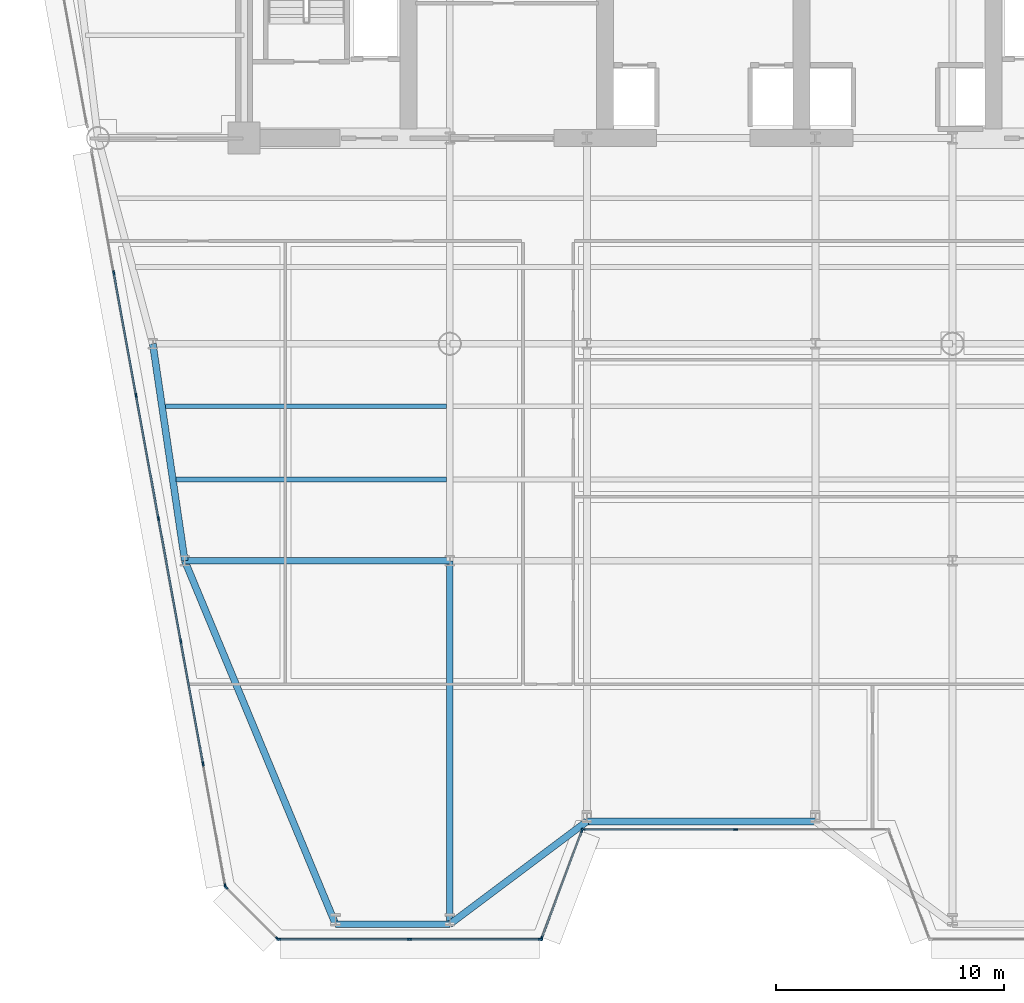
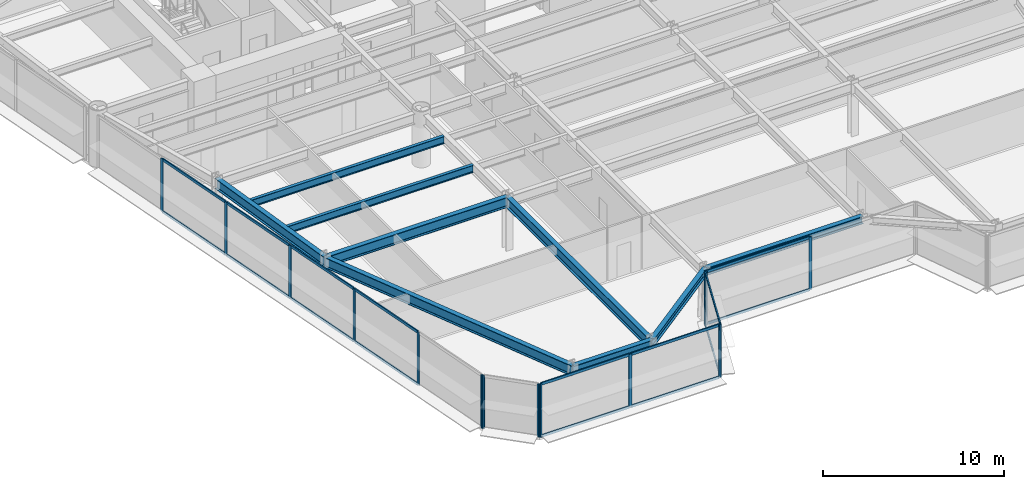
# One storey, part 2 of 14: 31 members, 9 beams, 5 elements without a shape of their own.
"""IFC4 building model written with IfcOpenShell, lengths in metres."""

from ifc_helpers import new_model, si_unit, direction, frame, origin, origin_2d, place, context, subcontext, project, spatial, rectangle, i_section, extrude, source, transform, mapped, material, layer, layer_set, material_profile, profile_set, type_object, element, aggregate, save


model = new_model("IFC4")

# Units and contexts
model_context = context("Model", 3, precision=1e-05, world=origin(), true_north=direction((0.0, 1.0)))
body_context = subcontext(model_context, "Body", "Model", "MODEL_VIEW")
ifc_project = project(units=[si_unit("LENGTHUNIT", "METRE"), si_unit("AREAUNIT", "SQUARE_METRE"), si_unit("VOLUMEUNIT", "CUBIC_METRE"), si_unit("PLANEANGLEUNIT", "RADIAN"), si_unit("MASSUNIT", "GRAM", prefix="KILO")], contexts=[model_context])

# Site, building, storey
site_placement = place(None, origin())
site = spatial("IfcSite", under=ifc_project, at=site_placement, CompositionType="ELEMENT")
building_placement = place(site_placement, origin())
building = spatial("IfcBuilding", under=site, at=building_placement, Name="Vaeldorn Concourse Tower", CompositionType="ELEMENT")
storey_placement = place(building_placement, frame((0.0, 0.0, 122.39990234375)))
storey = spatial("IfcBuildingStorey", under=building, at=storey_placement, Name="L31", CompositionType="ELEMENT", Elevation=122.39990234375)

# Beams
ifc_material_1 = material(Name="Steel S355", Category="steel")
ifc_material_profile_1 = material_profile(ifc_material_1, i_section(OverallWidth=0.199951171875, OverallDepth=0.5, WebThickness=0.01025390625, FlangeThickness=0.01611328125, FilletRadius=0.02099609375, at=origin_2d()), Name="IPE 500")
ifc_profile_set_1 = profile_set([ifc_material_profile_1], Name="Steel S355")
beam_type_1 = type_object("IfcBeamType", Name="BM-JS-IPE500", PredefinedType="JOIST", material=ifc_profile_set_1)
shared_shape_1 = source(origin(), body_context, "Body", "SweptSolid", [
    extrude(i_section(OverallWidth=0.199951171875, OverallDepth=0.5, WebThickness=0.01025390625, FlangeThickness=0.01611328125, FilletRadius=0.02099609375, at=origin_2d()), origin(), (0.0, 0.0, 1.0), 11.82470703125),
])
beam_1_placement = place(storey_placement, frame((11.025390625, 21.56005859375, 3.330078125), z_axis=(1.0, 0.0, 0.0), x_axis=(0.0, 1.0, 0.0)))
element("IfcBeam", 1, at=beam_1_placement, inside=storey, type_object=beam_type_1, Name="Beam JS-L31-W1-215", PredefinedType="JOIST", context=body_context, shape_type="MappedRepresentation", body=[
    mapped(shared_shape_1, transform((0.0, 0.0, 0.0), scale=1.0)),
])
shared_shape_2 = source(origin(), body_context, "Body", "SweptSolid", [
    extrude(i_section(OverallWidth=0.199951171875, OverallDepth=0.5, WebThickness=0.01025390625, FlangeThickness=0.01611328125, FilletRadius=0.02099609375, at=origin_2d()), origin(), (0.0, 0.0, 1.0), 12.29638671875),
])
beam_2_placement = place(storey_placement, frame((10.5537109375, 24.760009765625, 3.330078125), z_axis=(1.0, 0.0, 0.0), x_axis=(0.0, 1.0, 0.0)))
element("IfcBeam", 2, at=beam_2_placement, inside=storey, type_object=beam_type_1, Name="Beam JS-L31-W1-247", PredefinedType="JOIST", context=body_context, shape_type="MappedRepresentation", body=[
    mapped(shared_shape_2, transform((0.0, 0.0, 0.0), scale=1.0)),
])
ifc_material_profile_2 = material_profile(ifc_material_1, i_section(OverallWidth=0.300048828125, OverallDepth=0.5, WebThickness=0.014404296875, FlangeThickness=0.028076171875, FilletRadius=0.027099609375, at=origin_2d()), Name="HEB 500")
ifc_profile_set_2 = profile_set([ifc_material_profile_2], Name="Steel S355")
beam_type_2 = type_object("IfcBeamType", Name="BM-SP-HEB500", PredefinedType="SPANDREL", material=ifc_profile_set_2)
shared_shape_3 = source(origin(), body_context, "Body", "SweptSolid", [
    extrude(i_section(OverallWidth=0.300048828125, OverallDepth=0.5, WebThickness=0.014404296875, FlangeThickness=0.028076171875, FilletRadius=0.027099609375, at=origin_2d()), origin(), (0.0, 0.0, 1.0), 5.0),
])
beam_3_placement = place(storey_placement, frame((18.0, 2.095458984375, 3.330078125), z_axis=(1.0, 0.0, 0.0), x_axis=(0.0, 1.0, 0.0)))
element("IfcBeam", 3, at=beam_3_placement, inside=storey, type_object=beam_type_2, Name="Beam BM-L31-C-SF1-C-SF2", PredefinedType="SPANDREL", context=body_context, shape_type="MappedRepresentation", body=[
    mapped(shared_shape_3, transform((0.0, 0.0, 0.0), scale=1.0)),
])
shared_shape_4 = source(origin(), body_context, "Body", "SweptSolid", [
    extrude(i_section(OverallWidth=0.300048828125, OverallDepth=0.5, WebThickness=0.014404296875, FlangeThickness=0.028076171875, FilletRadius=0.027099609375, at=origin_2d()), origin(), (0.0, 0.0, 1.0), 7.5),
])
beam_4_placement = place(storey_placement, frame((23.0, 2.095458984375, 3.330078125), z_axis=(0.8, 0.6, 0.0), x_axis=(-0.6, 0.8, 0.0)))
element("IfcBeam", 4, at=beam_4_placement, inside=storey, type_object=beam_type_2, Name="Beam BM-L31-C-SF2-C-SF3", PredefinedType="SPANDREL", context=body_context, shape_type="MappedRepresentation", body=[
    mapped(shared_shape_4, transform((0.0, 0.0, 0.0), scale=1.0)),
])
shared_shape_5 = source(origin(), body_context, "Body", "SweptSolid", [
    extrude(i_section(OverallWidth=0.300048828125, OverallDepth=0.5, WebThickness=0.014404296875, FlangeThickness=0.028076171875, FilletRadius=0.027099609375, at=origin_2d()), origin(), (0.0, 0.0, 1.0), 10.0),
])
beam_5_placement = place(storey_placement, frame((29.0, 6.595458984375, 3.330078125), z_axis=(1.0, 0.0, 0.0), x_axis=(0.0, 1.0, 0.0)))
element("IfcBeam", 5, at=beam_5_placement, inside=storey, type_object=beam_type_2, Name="Beam BM-L31-C-SF3-C-SF4", PredefinedType="SPANDREL", context=body_context, shape_type="MappedRepresentation", body=[
    mapped(shared_shape_5, transform((0.0, 0.0, 0.0), scale=1.0)),
])
ifc_material_profile_3 = material_profile(ifc_material_1, i_section(OverallWidth=0.300048828125, OverallDepth=0.699951171875, WebThickness=0.01708984375, FlangeThickness=0.031982421875, FilletRadius=0.027099609375, at=origin_2d()), Name="HEB 700")
ifc_profile_set_3 = profile_set([ifc_material_profile_3], Name="Steel S355")
beam_type_3 = type_object("IfcBeamType", Name="BM-PG-HEB700", PredefinedType="BEAM", material=ifc_profile_set_3)
shared_shape_6 = source(origin(), body_context, "Body", "SweptSolid", [
    extrude(i_section(OverallWidth=0.300048828125, OverallDepth=0.699951171875, WebThickness=0.01708984375, FlangeThickness=0.031982421875, FilletRadius=0.027099609375, at=origin_2d()), origin(), (0.0, 0.0, 1.0), 9.6025390625),
])
beam_6_placement = place(storey_placement, frame((10.0, 27.5, 3.22998046875), z_axis=(0.145783835977, -0.989316467652, 0.0), x_axis=(0.989316467652, 0.145783835977, 0.0)))
element("IfcBeam", 6, at=beam_6_placement, inside=storey, type_object=beam_type_3, Name="Beam BM-L31-C-FLW1-C-FLW2", PredefinedType="BEAM", context=body_context, shape_type="MappedRepresentation", body=[
    mapped(shared_shape_6, transform((0.0, 0.0, 0.0), scale=1.0)),
])
shared_shape_7 = source(origin(), body_context, "Body", "SweptSolid", [
    extrude(i_section(OverallWidth=0.300048828125, OverallDepth=0.699951171875, WebThickness=0.01708984375, FlangeThickness=0.031982421875, FilletRadius=0.027099609375, at=origin_2d()), origin(), (0.0, 0.0, 1.0), 11.60009765625),
])
beam_7_placement = place(storey_placement, frame((11.39990234375, 18.0, 3.22998046875), z_axis=(1.0, 0.0, 0.0), x_axis=(0.0, 1.0, 0.0)))
element("IfcBeam", 7, at=beam_7_placement, inside=storey, type_object=beam_type_3, Name="Beam BM-L31-C-FLW2-C-TW5", PredefinedType="BEAM", context=body_context, shape_type="MappedRepresentation", body=[
    mapped(shared_shape_7, transform((0.0, 0.0, 0.0), scale=1.0)),
])
shared_shape_8 = source(origin(), body_context, "Body", "SweptSolid", [
    extrude(i_section(OverallWidth=0.300048828125, OverallDepth=0.699951171875, WebThickness=0.01708984375, FlangeThickness=0.031982421875, FilletRadius=0.027099609375, at=origin_2d()), origin(), (0.0, 0.0, 1.0), 17.2197265625),
])
beam_8_placement = place(storey_placement, frame((18.0, 2.095458984375, 3.22998046875), z_axis=(-0.3832891314, 0.923628411078, 0.0), x_axis=(-0.923628411078, -0.3832891314, 0.0)))
element("IfcBeam", 8, at=beam_8_placement, inside=storey, type_object=beam_type_3, Name="Beam BM-L31-C-SF1-C-FLW2", PredefinedType="BEAM", context=body_context, shape_type="MappedRepresentation", body=[
    mapped(shared_shape_8, transform((0.0, 0.0, 0.0), scale=1.0)),
])
shared_shape_9 = source(origin(), body_context, "Body", "SweptSolid", [
    extrude(i_section(OverallWidth=0.300048828125, OverallDepth=0.699951171875, WebThickness=0.01708984375, FlangeThickness=0.031982421875, FilletRadius=0.027099609375, at=origin_2d()), origin(), (0.0, 0.0, 1.0), 15.904541015625),
])
beam_9_placement = place(storey_placement, frame((23.0, 2.095458984375, 3.22998046875), z_axis=(0.0, 1.0, 0.0), x_axis=(-1.0, 0.0, 0.0)))
element("IfcBeam", 9, at=beam_9_placement, inside=storey, type_object=beam_type_3, Name="Beam BM-L31-C-SF2-C-TW5", PredefinedType="BEAM", context=body_context, shape_type="MappedRepresentation", body=[
    mapped(shared_shape_9, transform((0.0, 0.0, 0.0), scale=1.0)),
])

# Curtain wall, members
ifc_material_2 = material(Name="Anodised Bronze Aluminium", Category="aluminium")
ifc_layer = layer(ifc_material_2, 0.199951171875)
ifc_layer_set = layer_set([ifc_layer], Name="Anodised Bronze Aluminium")
curtain_wall_type = type_object("IfcCurtainWallType", Name="CW-SYS-02", PredefinedType="NOTDEFINED", material=ifc_layer_set)
curtain_wall_1_placement = place(storey_placement, origin())
curtain_wall_1 = element("IfcCurtainWall", 10, at=curtain_wall_1_placement, inside=storey, type_object=curtain_wall_type, Name="Unitised Curtain Wall CW-L31-E03-1", PredefinedType="NOTDEFINED")
ifc_material_profile_4 = material_profile(ifc_material_2, rectangle(XDim=0.074951171875, YDim=0.179931640625, at=origin_2d()), Name="CWT 75x180")
ifc_profile_set_4 = profile_set([ifc_material_profile_4], Name="Anodised Bronze Aluminium")
member_type_1 = type_object("IfcMemberType", Name="CWT-BRONZE-180", PredefinedType="USERDEFINED", material=ifc_profile_set_4)
shared_shape_10 = source(origin(), body_context, "Body", "SweptSolid", [
    extrude(rectangle(XDim=0.074951171875, YDim=0.179931640625, at=origin_2d()), origin(), (0.0, 0.0, 1.0), 6.58740234375),
])
member_1_placement = place(storey_placement, frame((28.875, 6.234619140625, 0.03759765625), z_axis=(1.0, 0.0, 0.0), x_axis=(0.0, 1.0, 0.0)))
member_1 = element("IfcMember", 11, at=member_1_placement, type_object=member_type_1, Name="CW-02 transom 1.1", ObjectType="TRANSOM", PredefinedType="USERDEFINED", context=body_context, shape_type="MappedRepresentation", body=[
    mapped(shared_shape_10, transform((0.0, 0.0, 0.0), scale=1.0)),
])
member_2_placement = place(storey_placement, frame((28.875, 6.234619140625, 3.54248046875), z_axis=(1.0, 0.0, 0.0), x_axis=(0.0, 1.0, 0.0)))
member_2 = element("IfcMember", 12, at=member_2_placement, type_object=member_type_1, Name="CW-02 transom 1.2", ObjectType="TRANSOM", PredefinedType="USERDEFINED", context=body_context, shape_type="MappedRepresentation", body=[
    mapped(shared_shape_10, transform((0.0, 0.0, 0.0), scale=1.0)),
])

curtain_wall_2_placement = place(storey_placement, origin())
curtain_wall_2 = element("IfcCurtainWall", 13, at=curtain_wall_2_placement, inside=storey, type_object=curtain_wall_type, Name="Unitised Curtain Wall CW-L31-E02-1", PredefinedType="NOTDEFINED")
shared_shape_11 = source(origin(), body_context, "Body", "SweptSolid", [
    extrude(rectangle(XDim=0.074951171875, YDim=0.179931640625, at=origin_2d()), origin(), (0.0, 0.0, 1.0), 4.9765625),
])
member_3_placement = place(storey_placement, frame((27.0263671875, 1.504638671875, 0.03759765625), z_axis=(0.351112688987, 0.936333209724, 0.0), x_axis=(-0.936333209724, 0.351112688987, 0.0)))
member_3 = element("IfcMember", 14, at=member_3_placement, type_object=member_type_1, Name="CW-02 transom 1.1", ObjectType="TRANSOM", PredefinedType="USERDEFINED", context=body_context, shape_type="MappedRepresentation", body=[
    mapped(shared_shape_11, transform((0.0, 0.0, 0.0), scale=1.0)),
])
member_4_placement = place(storey_placement, frame((27.0263671875, 1.504638671875, 3.54248046875), z_axis=(0.351112688987, 0.936333209724, 0.0), x_axis=(-0.936333209724, 0.351112688987, 0.0)))
member_4 = element("IfcMember", 15, at=member_4_placement, type_object=member_type_1, Name="CW-02 transom 1.2", ObjectType="TRANSOM", PredefinedType="USERDEFINED", context=body_context, shape_type="MappedRepresentation", body=[
    mapped(shared_shape_11, transform((0.0, 0.0, 0.0), scale=1.0)),
])

curtain_wall_3_placement = place(storey_placement, origin())
curtain_wall_3 = element("IfcCurtainWall", 16, at=curtain_wall_3_placement, inside=storey, type_object=curtain_wall_type, Name="Unitised Curtain Wall CW-L31-E01-1", PredefinedType="NOTDEFINED")
shared_shape_12 = source(origin(), body_context, "Body", "SweptSolid", [
    extrude(rectangle(XDim=0.074951171875, YDim=0.179931640625, at=origin_2d()), origin(), (0.0, 0.0, 1.0), 5.6484375),
])
member_5_placement = place(storey_placement, frame((15.55322265625, 1.4345703125, 0.03759765625), z_axis=(1.0, 0.0, 0.0), x_axis=(0.0, 1.0, 0.0)))
member_5 = element("IfcMember", 17, at=member_5_placement, type_object=member_type_1, Name="CW-02 transom 1.1", ObjectType="TRANSOM", PredefinedType="USERDEFINED", context=body_context, shape_type="MappedRepresentation", body=[
    mapped(shared_shape_12, transform((0.0, 0.0, 0.0), scale=1.0)),
])
member_6_placement = place(storey_placement, frame((15.55322265625, 1.4345703125, 3.54248046875), z_axis=(1.0, 0.0, 0.0), x_axis=(0.0, 1.0, 0.0)))
member_6 = element("IfcMember", 18, at=member_6_placement, type_object=member_type_1, Name="CW-02 transom 1.2", ObjectType="TRANSOM", PredefinedType="USERDEFINED", context=body_context, shape_type="MappedRepresentation", body=[
    mapped(shared_shape_12, transform((0.0, 0.0, 0.0), scale=1.0)),
])
member_7_placement = place(storey_placement, frame((21.276611328125, 1.4345703125, 0.03759765625), z_axis=(1.0, 0.0, 0.0), x_axis=(0.0, 1.0, 0.0)))
member_7 = element("IfcMember", 19, at=member_7_placement, type_object=member_type_1, Name="CW-02 transom 2.1", ObjectType="TRANSOM", PredefinedType="USERDEFINED", context=body_context, shape_type="MappedRepresentation", body=[
    mapped(shared_shape_12, transform((0.0, 0.0, 0.0), scale=1.0)),
])
member_8_placement = place(storey_placement, frame((21.276611328125, 1.4345703125, 3.54248046875), z_axis=(1.0, 0.0, 0.0), x_axis=(0.0, 1.0, 0.0)))
member_8 = element("IfcMember", 20, at=member_8_placement, type_object=member_type_1, Name="CW-02 transom 2.2", ObjectType="TRANSOM", PredefinedType="USERDEFINED", context=body_context, shape_type="MappedRepresentation", body=[
    mapped(shared_shape_12, transform((0.0, 0.0, 0.0), scale=1.0)),
])
ifc_material_profile_5 = material_profile(ifc_material_2, rectangle(XDim=0.074951171875, YDim=0.18994140625, at=origin_2d()), Name="CWM 75x190")
ifc_profile_set_5 = profile_set([ifc_material_profile_5], Name="Anodised Bronze Aluminium")
member_type_2 = type_object("IfcMemberType", Name="CWM-BRONZE-190", PredefinedType="MULLION", material=ifc_profile_set_5)
shared_shape_13 = source(origin(), body_context, "Body", "SweptSolid", [
    extrude(rectangle(XDim=0.074951171875, YDim=0.18994140625, at=origin_2d()), origin(), (0.0, 0.0, 1.0), 3.580078125),
])
member_9_placement = place(storey_placement, frame((15.515869140625, 1.4345703125, 0.0), z_axis=(0.0, 0.0, 1.0), x_axis=(0.0, 1.0, 0.0)))
member_9 = element("IfcMember", 21, at=member_9_placement, type_object=member_type_2, Name="CW-02 mullion 1", PredefinedType="MULLION", context=body_context, shape_type="MappedRepresentation", body=[
    mapped(shared_shape_13, transform((0.0, 0.0, 0.0), scale=1.0)),
])
member_10_placement = place(storey_placement, frame((21.2392578125, 1.4345703125, 0.0), z_axis=(0.0, 0.0, 1.0), x_axis=(0.0, 1.0, 0.0)))
member_10 = element("IfcMember", 22, at=member_10_placement, type_object=member_type_2, Name="CW-02 mullion 2", PredefinedType="MULLION", context=body_context, shape_type="MappedRepresentation", body=[
    mapped(shared_shape_13, transform((0.0, 0.0, 0.0), scale=1.0)),
])
member_11_placement = place(storey_placement, frame((26.96240234375, 1.4345703125, 0.0), z_axis=(0.0, 0.0, 1.0), x_axis=(0.0, 1.0, 0.0)))
member_11 = element("IfcMember", 23, at=member_11_placement, type_object=member_type_2, Name="CW-02 mullion 3", PredefinedType="MULLION", context=body_context, shape_type="MappedRepresentation", body=[
    mapped(shared_shape_13, transform((0.0, 0.0, 0.0), scale=1.0)),
])
aggregate(curtain_wall_3, [member_9, member_10, member_11, member_5, member_6, member_7, member_8])

# Member
member_12_placement = place(storey_placement, frame((27.01318359375, 1.4697265625, 0.0), z_axis=(0.0, 0.0, 1.0), x_axis=(-0.936329177566, 0.351123441595, 0.0)))
member_12 = element("IfcMember", 24, at=member_12_placement, type_object=member_type_2, Name="CW-02 mullion 1", PredefinedType="MULLION", context=body_context, shape_type="MappedRepresentation", body=[
    mapped(shared_shape_13, transform((0.0, 0.0, 0.0), scale=1.0)),
])

member_13_placement = place(storey_placement, frame((28.786865234375, 6.199462890625, 0.0), z_axis=(0.0, 0.0, 1.0), x_axis=(-0.936329177566, 0.351123441595, 0.0)))
member_13 = element("IfcMember", 25, at=member_13_placement, type_object=member_type_2, Name="CW-02 mullion 2", PredefinedType="MULLION", context=body_context, shape_type="MappedRepresentation", body=[
    mapped(shared_shape_13, transform((0.0, 0.0, 0.0), scale=1.0)),
])

aggregate(curtain_wall_2, [member_12, member_13, member_3, member_4])

member_14_placement = place(storey_placement, frame((28.83740234375, 6.234619140625, 0.0), z_axis=(0.0, 0.0, 1.0), x_axis=(0.0, 1.0, 0.0)))
member_14 = element("IfcMember", 26, at=member_14_placement, type_object=member_type_2, Name="CW-02 mullion 1", PredefinedType="MULLION", context=body_context, shape_type="MappedRepresentation", body=[
    mapped(shared_shape_13, transform((0.0, 0.0, 0.0), scale=1.0)),
])

member_15_placement = place(storey_placement, frame((35.5, 6.234619140625, 0.0), z_axis=(0.0, 0.0, 1.0), x_axis=(0.0, 1.0, 0.0)))
member_15 = element("IfcMember", 27, at=member_15_placement, type_object=member_type_2, Name="CW-02 mullion 2", PredefinedType="MULLION", context=body_context, shape_type="MappedRepresentation", body=[
    mapped(shared_shape_13, transform((0.0, 0.0, 0.0), scale=1.0)),
])

aggregate(curtain_wall_1, [member_14, member_15, member_1, member_2])

# Curtain wall, members
curtain_wall_4_placement = place(storey_placement, origin())
curtain_wall_4 = element("IfcCurtainWall", 28, at=curtain_wall_4_placement, inside=storey, type_object=curtain_wall_type, Name="Unitised Curtain Wall CW-L31-E11-2", PredefinedType="NOTDEFINED")
member_16_placement = place(storey_placement, frame((8.29052734375, 30.607421875, 0.0), z_axis=(0.0, 0.0, 1.0), x_axis=(0.983859071278, 0.178945041465, 0.0)))
member_16 = element("IfcMember", 29, at=member_16_placement, type_object=member_type_2, Name="CW-02 mullion 2", PredefinedType="MULLION", context=body_context, shape_type="MappedRepresentation", body=[
    mapped(shared_shape_13, transform((0.0, 0.0, 0.0), scale=1.0)),
])
member_17_placement = place(storey_placement, frame((9.26806640625, 25.23291015625, 0.0), z_axis=(0.0, 0.0, 1.0), x_axis=(0.983859071278, 0.178945041465, 0.0)))
member_17 = element("IfcMember", 30, at=member_17_placement, type_object=member_type_2, Name="CW-02 mullion 3", PredefinedType="MULLION", context=body_context, shape_type="MappedRepresentation", body=[
    mapped(shared_shape_13, transform((0.0, 0.0, 0.0), scale=1.0)),
])
member_18_placement = place(storey_placement, frame((10.24560546875, 19.858154296875, 0.0), z_axis=(0.0, 0.0, 1.0), x_axis=(0.983859071278, 0.178945041465, 0.0)))
member_18 = element("IfcMember", 31, at=member_18_placement, type_object=member_type_2, Name="CW-02 mullion 4", PredefinedType="MULLION", context=body_context, shape_type="MappedRepresentation", body=[
    mapped(shared_shape_13, transform((0.0, 0.0, 0.0), scale=1.0)),
])
member_19_placement = place(storey_placement, frame((11.22314453125, 14.483642578125, 0.0), z_axis=(0.0, 0.0, 1.0), x_axis=(0.983859071278, 0.178945041465, 0.0)))
member_19 = element("IfcMember", 32, at=member_19_placement, type_object=member_type_2, Name="CW-02 mullion 5", PredefinedType="MULLION", context=body_context, shape_type="MappedRepresentation", body=[
    mapped(shared_shape_13, transform((0.0, 0.0, 0.0), scale=1.0)),
])
member_20_placement = place(storey_placement, frame((12.20068359375, 9.109130859375, 0.0), z_axis=(0.0, 0.0, 1.0), x_axis=(0.983859071278, 0.178945041465, 0.0)))
member_20 = element("IfcMember", 33, at=member_20_placement, type_object=member_type_2, Name="CW-02 mullion 6", PredefinedType="MULLION", context=body_context, shape_type="MappedRepresentation", body=[
    mapped(shared_shape_13, transform((0.0, 0.0, 0.0), scale=1.0)),
])
member_21_placement = place(storey_placement, frame((13.171630859375, 3.771484375, 0.0), z_axis=(0.0, 0.0, 1.0), x_axis=(0.983859071278, 0.178945041465, 0.0)))
member_21 = element("IfcMember", 34, at=member_21_placement, type_object=member_type_2, Name="CW-02 mullion 7", PredefinedType="MULLION", context=body_context, shape_type="MappedRepresentation", body=[
    mapped(shared_shape_13, transform((0.0, 0.0, 0.0), scale=1.0)),
])

curtain_wall_5_placement = place(storey_placement, origin())
curtain_wall_5 = element("IfcCurtainWall", 35, at=curtain_wall_5_placement, inside=storey, type_object=curtain_wall_type, Name="Unitised Curtain Wall CW-L31-E12-1", PredefinedType="NOTDEFINED")
member_22_placement = place(storey_placement, frame((13.204833984375, 3.7080078125, 0.0), z_axis=(0.0, 0.0, 1.0), x_axis=(0.707106781187, 0.707106781187, 0.0)))
member_22 = element("IfcMember", 36, at=member_22_placement, type_object=member_type_2, Name="CW-02 mullion 1", PredefinedType="MULLION", context=body_context, shape_type="MappedRepresentation", body=[
    mapped(shared_shape_13, transform((0.0, 0.0, 0.0), scale=1.0)),
])
member_23_placement = place(storey_placement, frame((15.451904296875, 1.4609375, 0.0), z_axis=(0.0, 0.0, 1.0), x_axis=(0.707106781187, 0.707106781187, 0.0)))
member_23 = element("IfcMember", 37, at=member_23_placement, type_object=member_type_2, Name="CW-02 mullion 2", PredefinedType="MULLION", context=body_context, shape_type="MappedRepresentation", body=[
    mapped(shared_shape_13, transform((0.0, 0.0, 0.0), scale=1.0)),
])
aggregate(curtain_wall_5, [member_22, member_23])

# Member
shared_shape_14 = source(origin(), body_context, "Body", "SweptSolid", [
    extrude(rectangle(XDim=0.074951171875, YDim=0.179931640625, at=origin_2d()), origin(), (0.0, 0.0, 1.0), 5.3876953125),
])
member_24_placement = place(storey_placement, frame((8.29736328125, 30.570556640625, 0.03759765625), z_axis=(0.178945252438, -0.983859032905, 0.0), x_axis=(0.983859032905, 0.178945252438, 0.0)))
member_24 = element("IfcMember", 38, at=member_24_placement, type_object=member_type_1, Name="CW-02 transom 2.1", ObjectType="TRANSOM", PredefinedType="USERDEFINED", context=body_context, shape_type="MappedRepresentation", body=[
    mapped(shared_shape_14, transform((0.0, 0.0, 0.0), scale=1.0)),
])

member_25_placement = place(storey_placement, frame((8.29736328125, 30.570556640625, 3.54248046875), z_axis=(0.178945252438, -0.983859032905, 0.0), x_axis=(0.983859032905, 0.178945252438, 0.0)))
member_25 = element("IfcMember", 39, at=member_25_placement, type_object=member_type_1, Name="CW-02 transom 2.2", ObjectType="TRANSOM", PredefinedType="USERDEFINED", context=body_context, shape_type="MappedRepresentation", body=[
    mapped(shared_shape_14, transform((0.0, 0.0, 0.0), scale=1.0)),
])

member_26_placement = place(storey_placement, frame((9.27490234375, 25.196044921875, 0.03759765625), z_axis=(0.178945252438, -0.983859032905, 0.0), x_axis=(0.983859032905, 0.178945252438, 0.0)))
member_26 = element("IfcMember", 40, at=member_26_placement, type_object=member_type_1, Name="CW-02 transom 3.1", ObjectType="TRANSOM", PredefinedType="USERDEFINED", context=body_context, shape_type="MappedRepresentation", body=[
    mapped(shared_shape_14, transform((0.0, 0.0, 0.0), scale=1.0)),
])

member_27_placement = place(storey_placement, frame((9.27490234375, 25.196044921875, 3.54248046875), z_axis=(0.178945252438, -0.983859032905, 0.0), x_axis=(0.983859032905, 0.178945252438, 0.0)))
member_27 = element("IfcMember", 41, at=member_27_placement, type_object=member_type_1, Name="CW-02 transom 3.2", ObjectType="TRANSOM", PredefinedType="USERDEFINED", context=body_context, shape_type="MappedRepresentation", body=[
    mapped(shared_shape_14, transform((0.0, 0.0, 0.0), scale=1.0)),
])

member_28_placement = place(storey_placement, frame((10.25244140625, 19.8212890625, 0.03759765625), z_axis=(0.178945252438, -0.983859032905, 0.0), x_axis=(0.983859032905, 0.178945252438, 0.0)))
member_28 = element("IfcMember", 42, at=member_28_placement, type_object=member_type_1, Name="CW-02 transom 4.1", ObjectType="TRANSOM", PredefinedType="USERDEFINED", context=body_context, shape_type="MappedRepresentation", body=[
    mapped(shared_shape_14, transform((0.0, 0.0, 0.0), scale=1.0)),
])

member_29_placement = place(storey_placement, frame((10.25244140625, 19.8212890625, 3.54248046875), z_axis=(0.178945252438, -0.983859032905, 0.0), x_axis=(0.983859032905, 0.178945252438, 0.0)))
member_29 = element("IfcMember", 43, at=member_29_placement, type_object=member_type_1, Name="CW-02 transom 4.2", ObjectType="TRANSOM", PredefinedType="USERDEFINED", context=body_context, shape_type="MappedRepresentation", body=[
    mapped(shared_shape_14, transform((0.0, 0.0, 0.0), scale=1.0)),
])

member_30_placement = place(storey_placement, frame((11.22998046875, 14.44677734375, 0.03759765625), z_axis=(0.178945252438, -0.983859032905, 0.0), x_axis=(0.983859032905, 0.178945252438, 0.0)))
member_30 = element("IfcMember", 44, at=member_30_placement, type_object=member_type_1, Name="CW-02 transom 5.1", ObjectType="TRANSOM", PredefinedType="USERDEFINED", context=body_context, shape_type="MappedRepresentation", body=[
    mapped(shared_shape_14, transform((0.0, 0.0, 0.0), scale=1.0)),
])

member_31_placement = place(storey_placement, frame((11.22998046875, 14.44677734375, 3.54248046875), z_axis=(0.178945252438, -0.983859032905, 0.0), x_axis=(0.983859032905, 0.178945252438, 0.0)))
member_31 = element("IfcMember", 45, at=member_31_placement, type_object=member_type_1, Name="CW-02 transom 5.2", ObjectType="TRANSOM", PredefinedType="USERDEFINED", context=body_context, shape_type="MappedRepresentation", body=[
    mapped(shared_shape_14, transform((0.0, 0.0, 0.0), scale=1.0)),
])

aggregate(curtain_wall_4, [member_16, member_17, member_18, member_19, member_20, member_21, member_24, member_25, member_26, member_27, member_28, member_29, member_30, member_31])

save(model, "model.ifc")
